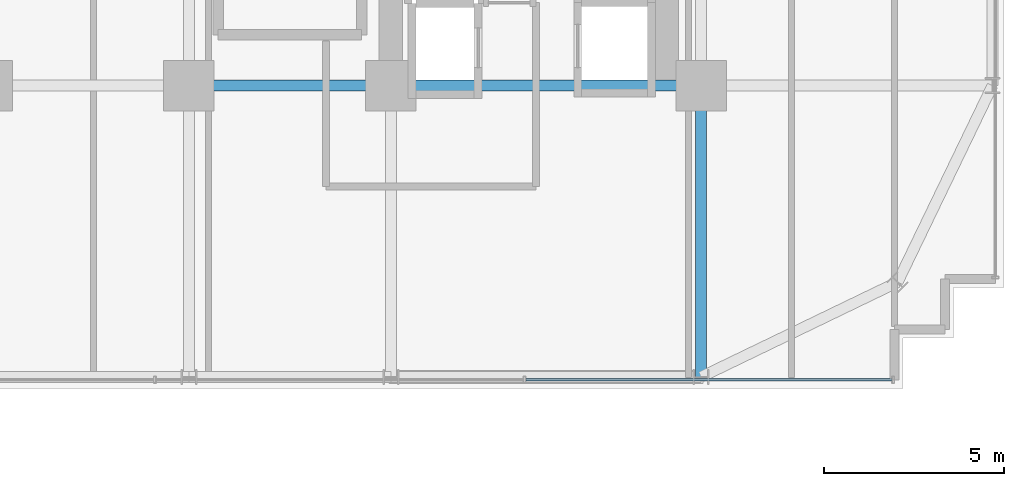
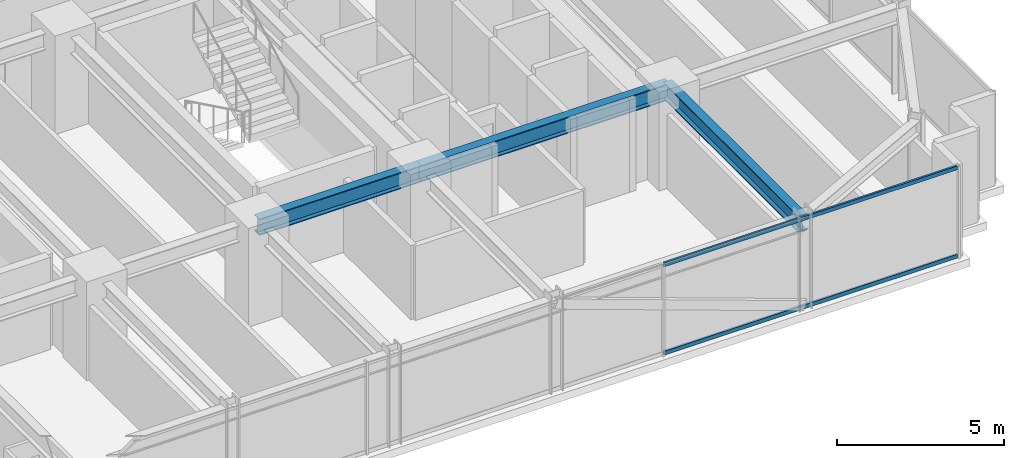
# One storey, part 13 of 37: 3 beams, 2 members, 1 element without a shape of its own.
"""IFC4 building model written with IfcOpenShell, lengths in metres."""

import ifcopenshell
import ifcopenshell.guid

model = None  # the IFC model being written
_history = None  # IfcOwnerHistory: only IFC2X3 demands one
_inside = {}  # id of a spatial element -> (the spatial element, [elements in it])
_under = {}  # id of a project, library or spatial element -> (it, [spatial elements below it])
_declared = {}  # id of a project -> (the project, [libraries it declares])
_typed = {}  # id of a type object -> (the type object, [elements of that type])
_made_of = {}  # id of a material, layer set ... -> (it, [elements and type objects made of it])


def new_model(schema):
    """Start an empty IFC model of exactly this schema.

    Asked for "IFC4X3", IfcOpenShell would pick the latest addendum, in which some entities
    have other attributes; the version numbers below select the first issue.
    IFC2X3 requires an IfcOwnerHistory on every rooted entity: one is made here for all.
    """
    global model, _history
    if schema == "IFC4X3":
        model = ifcopenshell.file(schema_version=(4, 3, 0, 0))
    else:
        model = ifcopenshell.file(schema=schema)
    _inside.clear()
    _under.clear()
    _declared.clear()
    _typed.clear()
    _made_of.clear()
    _history = None
    if model.schema == "IFC2X3":
        org = make("IfcOrganization", Name="unknown")
        user = make(
            "IfcPersonAndOrganization",
            ThePerson=make("IfcPerson", FamilyName="unknown"),
            TheOrganization=org,
        )
        app = make(
            "IfcApplication",
            ApplicationDeveloper=org,
            Version="unknown",
            ApplicationFullName="unknown",
            ApplicationIdentifier="unknown",
        )
        _history = make(
            "IfcOwnerHistory",
            OwningUser=user,
            OwningApplication=app,
            ChangeAction="ADDED",
            CreationDate=0,
        )
    return model


def make(cls, **values):
    """One entity of the class cls with the attributes given. An attribute that is None is left unset."""
    return model.create_entity(
        cls, **{name: value for name, value in values.items() if value is not None}
    )


def rooted(cls, **values):
    """An entity with a GlobalId (a new one), such as an element, a storey or a relation."""
    return make(cls, GlobalId=ifcopenshell.guid.new(), OwnerHistory=_history, **values)


def si_unit(unit_type, name, prefix=None):
    """IfcSIUnit, for example si_unit("LENGTHUNIT", "METRE", prefix="MILLI")."""
    return make("IfcSIUnit", UnitType=unit_type, Prefix=prefix, Name=name)


def assignment(units):
    """IfcUnitAssignment: the units of a project."""
    return None if units is None else make("IfcUnitAssignment", Units=units)


def point(xyz):
    """IfcCartesianPoint."""
    return None if xyz is None else make("IfcCartesianPoint", Coordinates=xyz)


def direction(xyz):
    """IfcDirection."""
    return None if xyz is None else make("IfcDirection", DirectionRatios=xyz)


def frame(location, z_axis=None, x_axis=None):
    """IfcAxis2Placement3D, a coordinate frame: its origin and axes. An axis left out is left unset."""
    return make(
        "IfcAxis2Placement3D",
        Location=point(location),
        Axis=direction(z_axis),
        RefDirection=direction(x_axis),
    )


def frame_2d(location, x_axis=None):
    """IfcAxis2Placement2D, a coordinate frame in the plane: its origin and x axis."""
    return make(
        "IfcAxis2Placement2D", Location=point(location), RefDirection=direction(x_axis)
    )


def origin():
    """The frame at (0, 0, 0) with its axes left unset."""
    return frame((0.0, 0.0, 0.0))


def origin_2d():
    """The frame at (0, 0) in the plane with its x axis left unset."""
    return frame_2d((0.0, 0.0))


def place(relative_to, where):
    """IfcLocalPlacement: puts the frame where relative to a parent placement (None: the world)."""
    return make(
        "IfcLocalPlacement", PlacementRelTo=relative_to, RelativePlacement=where
    )


def context(
    kind, dimensions, precision=None, world=None, true_north=None, identifier=None
):
    """IfcGeometricRepresentationContext, for example the 3D "Model" context."""
    return make(
        "IfcGeometricRepresentationContext",
        ContextIdentifier=identifier,
        ContextType=kind,
        CoordinateSpaceDimension=dimensions,
        Precision=precision,
        WorldCoordinateSystem=world,
        TrueNorth=true_north,
    )


def subcontext(parent, identifier, kind, view, scale=None):
    """IfcGeometricRepresentationSubContext, for example "Body" below "Model"."""
    return make(
        "IfcGeometricRepresentationSubContext",
        ContextIdentifier=identifier,
        ContextType=kind,
        ParentContext=parent,
        TargetScale=scale,
        TargetView=view,
    )


def project(units=None, contexts=None):
    """IfcProject with its units and contexts."""
    return rooted(
        "IfcProject",
        Name="project",
        RepresentationContexts=contexts,
        UnitsInContext=assignment(units),
    )


def spatial(cls, under=None, at=None, **own):
    """A site, building, storey or space (cls), placed at a placement, below another one or the project."""
    s = rooted(cls, ObjectPlacement=at, **own)
    if under is not None:
        _under.setdefault(under.id(), (under, []))[1].append(s)
    return s


def profile(cls, at=None, kind="AREA", **sizes):
    """A parametric profile (cls). Its sizes go by their IFC names, for example OverallWidth=200.0."""
    return make(cls, ProfileType=kind, Position=at, **sizes)


def hollow_rectangle(**sizes):
    """IfcRectangleHollowProfileDef."""
    return profile("IfcRectangleHollowProfileDef", **sizes)


def i_section(**sizes):
    """IfcIShapeProfileDef."""
    return profile("IfcIShapeProfileDef", **sizes)


def extrude(swept, where, along, depth):
    """IfcExtrudedAreaSolid: the profile swept, set in the frame where, extruded along a direction by depth."""
    return make(
        "IfcExtrudedAreaSolid",
        SweptArea=swept,
        Position=where,
        ExtrudedDirection=direction(along),
        Depth=depth,
    )


def shape(context_of_items, identifier, shape_type, items):
    """IfcShapeRepresentation: the items that make up one representation, for example the "Body"."""
    return make(
        "IfcShapeRepresentation",
        ContextOfItems=context_of_items,
        RepresentationIdentifier=identifier,
        RepresentationType=shape_type,
        Items=items,
    )


def source(mapping_origin, context_of_items, identifier, shape_type, items):
    """IfcRepresentationMap: a shape defined once, which mapped items show again and again."""
    return make(
        "IfcRepresentationMap",
        MappingOrigin=mapping_origin,
        MappedRepresentation=shape(context_of_items, identifier, shape_type, items),
    )


def transform(
    local_origin,
    x_axis=None,
    y_axis=None,
    z_axis=None,
    scale=None,
    scale2=None,
    scale3=None,
    uniform=True,
):
    """IfcCartesianTransformationOperator3D, or its non-uniform kind. x_axis, y_axis, z_axis: its Axis1, 2, 3."""
    if uniform:
        return make(
            "IfcCartesianTransformationOperator3D",
            Axis1=direction(x_axis),
            Axis2=direction(y_axis),
            LocalOrigin=point(local_origin),
            Scale=scale,
            Axis3=direction(z_axis),
        )
    return make(
        "IfcCartesianTransformationOperator3DnonUniform",
        Axis1=direction(x_axis),
        Axis2=direction(y_axis),
        LocalOrigin=point(local_origin),
        Scale=scale,
        Axis3=direction(z_axis),
        Scale2=scale2,
        Scale3=scale3,
    )


def mapped(mapping_source, mapping_target):
    """IfcMappedItem: shows the shape of a source again, moved by a transform."""
    return make(
        "IfcMappedItem", MappingSource=mapping_source, MappingTarget=mapping_target
    )


def material(Name=None, Category=None):
    """IfcMaterial."""
    return make("IfcMaterial", Name=Name, Category=Category)


def material_profile(
    of_material, cross_section, Name=None, Category=None, Priority=None
):
    """IfcMaterialProfile: a cross section and its material."""
    return make(
        "IfcMaterialProfile",
        Name=Name,
        Material=of_material,
        Profile=cross_section,
        Priority=Priority,
        Category=Category,
    )


def profile_set(profiles, Name=None, composite=None):
    """IfcMaterialProfileSet."""
    return make(
        "IfcMaterialProfileSet",
        Name=Name,
        MaterialProfiles=profiles,
        CompositeProfile=composite,
    )


def made_of(thing, what):
    """Note that an element or type object is made of a material, layer set ...; save() writes the relation."""
    if what is not None:
        _made_of.setdefault(what.id(), (what, []))[1].append(thing)
    return thing


def type_object(cls, material=None, **own):
    """A type object (cls), such as IfcWallType, which elements share."""
    return made_of(rooted(cls, **own), material)


def element(
    cls,
    number,
    at=None,
    inside=None,
    cuts=None,
    type_object=None,
    material=None,
    context=None,
    identifier="Body",
    shape_type=None,
    held_by="IfcProductDefinitionShape",
    body=None,
    shapes=None,
    **own,
):
    """One element of the class cls, such as IfcWall. Its Tag is "e" and its number.

    at: its placement. inside: the storey or other place that contains it. cuts: it is an
    opening in that element (IfcRelVoidsElement). A single representation is given by context,
    identifier, shape_type and body (its items); several are given by shapes. held_by: the class
    of the entity that holds the representations. save() writes the other relations.
    """
    e = rooted(cls, Tag="e%d" % number, ObjectPlacement=at, **own)
    if body is not None:
        shapes = [shape(context, identifier, shape_type, body)]
    if shapes is not None:
        e.Representation = make(held_by, Representations=shapes)
    if inside is not None:
        _inside.setdefault(inside.id(), (inside, []))[1].append(e)
    if cuts is not None:
        rooted(
            "IfcRelVoidsElement", RelatingBuildingElement=cuts, RelatedOpeningElement=e
        )
    if type_object is not None:
        _typed.setdefault(type_object.id(), (type_object, []))[1].append(e)
    return made_of(e, material)


def aggregate(whole, parts):
    """IfcRelAggregates: a whole, such as a stair, and the parts it consists of."""
    return rooted("IfcRelAggregates", RelatingObject=whole, RelatedObjects=parts)


def save(model, path):
    """Write the relations noted so far, then the file.

    IfcRelAggregates (storeys below a building ...), IfcRelContainedInSpatialStructure (elements
    in a storey), IfcRelDefinesByType, IfcRelAssociatesMaterial and IfcRelDeclares: one each for
    every whole, place, type object, material and project.
    """
    for whole, parts in _under.values():
        aggregate(whole, parts)
    for where, things in _inside.values():
        rooted(
            "IfcRelContainedInSpatialStructure",
            RelatedElements=things,
            RelatingStructure=where,
        )
    for kind, things in _typed.values():
        rooted("IfcRelDefinesByType", RelatedObjects=things, RelatingType=kind)
    for what, things in _made_of.values():
        rooted("IfcRelAssociatesMaterial", RelatedObjects=things, RelatingMaterial=what)
    for by, libraries in _declared.values():
        rooted("IfcRelDeclares", RelatingContext=by, RelatedDefinitions=libraries)
    model.write(path)


model = new_model("IFC4")

# Units and contexts
model_context = context("Model", 3, precision=1e-05, world=origin(), true_north=direction((0.0, 1.0)))
body_context = subcontext(model_context, "Body", "Model", "MODEL_VIEW")
ifc_project = project(units=[si_unit("LENGTHUNIT", "METRE"), si_unit("AREAUNIT", "SQUARE_METRE"), si_unit("VOLUMEUNIT", "CUBIC_METRE"), si_unit("PLANEANGLEUNIT", "RADIAN"), si_unit("MASSUNIT", "GRAM", prefix="KILO")], contexts=[model_context])

# Site, building, storey
site_placement = place(None, origin())
site = spatial("IfcSite", under=ifc_project, at=site_placement, CompositionType="ELEMENT")
building_placement = place(site_placement, origin())
building = spatial("IfcBuilding", under=site, at=building_placement, Name="Nahalor Promenade Grand Hotel", CompositionType="ELEMENT")
storey_placement = place(building_placement, frame((0.0, 0.0, 65.25)))
storey = spatial("IfcBuildingStorey", under=building, at=storey_placement, Name="L15", CompositionType="ELEMENT", Elevation=65.25)

# Beams
ifc_material_1 = material(Name="Steel S355JR", Category="steel")
ifc_material_profile_1 = material_profile(ifc_material_1, i_section(OverallWidth=0.3, OverallDepth=0.6, WebThickness=0.0155, FlangeThickness=0.03, at=origin_2d()), Name="HEB 600")
ifc_profile_set_1 = profile_set([ifc_material_profile_1], Name="Steel S355JR")
beam_type = type_object("IfcBeamType", Name="Beam-Girder-HEB600", PredefinedType="BEAM", material=ifc_profile_set_1)
shared_shape_1 = source(origin(), body_context, "Body", "SweptSolid", [
    extrude(i_section(OverallWidth=0.3, OverallDepth=0.6, WebThickness=0.0155, FlangeThickness=0.03, at=origin_2d()), origin(), (0.0, 0.0, 1.0), 8.60009765625),
])
beam_1_placement = place(storey_placement, frame((8.39990234375, -17.0, 3.070068359375), z_axis=(1.0, 0.0, 0.0), x_axis=(0.0, 1.0, 0.0)))
element("IfcBeam", 1, at=beam_1_placement, inside=storey, type_object=beam_type, Name="BM-L15-GX-0-5", PredefinedType="BEAM", context=body_context, shape_type="MappedRepresentation", body=[
    mapped(shared_shape_1, transform((0.0, 0.0, 0.0), scale=1.0)),
])
shared_shape_2 = source(origin(), body_context, "Body", "SweptSolid", [
    extrude(i_section(OverallWidth=0.3, OverallDepth=0.6, WebThickness=0.0155, FlangeThickness=0.03, at=origin_2d()), origin(), (0.0, 0.0, 1.0), 5.599853515625),
])
beam_2_placement = place(storey_placement, frame((2.800048828125, -17.0, 3.070068359375), z_axis=(1.0, 0.0, 0.0), x_axis=(0.0, 1.0, 0.0)))
element("IfcBeam", 2, at=beam_2_placement, inside=storey, type_object=beam_type, Name="BM-L15-GX-0-4", PredefinedType="BEAM", context=body_context, shape_type="MappedRepresentation", body=[
    mapped(shared_shape_2, transform((0.0, 0.0, 0.0), scale=1.0)),
])
shared_shape_3 = source(origin(), body_context, "Body", "SweptSolid", [
    extrude(i_section(OverallWidth=0.3, OverallDepth=0.6, WebThickness=0.0155, FlangeThickness=0.03, at=origin_2d()), origin(), (0.0, 0.0, 1.0), 8.080078125),
])
beam_3_placement = place(storey_placement, frame((17.0, -25.080078125, 3.070068359375), z_axis=(0.0, 1.0, 0.0), x_axis=(-1.0, 0.0, 0.0)))
element("IfcBeam", 3, at=beam_3_placement, inside=storey, type_object=beam_type, Name="BM-L15-GY-5-0", PredefinedType="BEAM", context=body_context, shape_type="MappedRepresentation", body=[
    mapped(shared_shape_3, transform((0.0, 0.0, 0.0), scale=1.0)),
])

# Curtain wall, members
ifc_material_2 = material(Name="Anodised Bronze Aluminium EN AW-6063 T6", Category="aluminium")
curtain_wall_type = type_object("IfcCurtainWallType", Name="CW3 Elliptical-Void Collar Unitised Curtain Wall", PredefinedType="USERDEFINED", material=ifc_material_2)
curtain_wall_placement = place(storey_placement, origin())
curtain_wall = element("IfcCurtainWall", 4, at=curtain_wall_placement, inside=storey, type_object=curtain_wall_type, Name="L15 Curtain Wall CW-L15-S-3", ObjectType="UNITISED_CURTAIN_WALL", PredefinedType="USERDEFINED")
ifc_material_profile_2 = material_profile(ifc_material_2, hollow_rectangle(XDim=0.07, YDim=0.14, WallThickness=0.004, at=origin_2d()), Name="CWT 70x140x4")
ifc_profile_set_2 = profile_set([ifc_material_profile_2], Name="Anodised Bronze Aluminium EN AW-6063 T6")
member_type = type_object("IfcMemberType", Name="CWT3 Void Collar Transom 70x140", PredefinedType="USERDEFINED", material=ifc_profile_set_2)
shared_shape_4 = source(origin(), body_context, "Body", "SweptSolid", [
    extrude(hollow_rectangle(XDim=0.07, YDim=0.14, WallThickness=0.004, at=origin_2d()), origin(), (0.0, 0.0, 1.0), 10.1484375),
])
member_1_placement = place(storey_placement, frame((12.1416015625, -25.159912109375, 0.070068359375), z_axis=(1.0, 0.0, 0.0), x_axis=(0.0, 1.0, 0.0)))
member_1 = element("IfcMember", 5, at=member_1_placement, type_object=member_type, Name="CW-L15-S-3 Transom 2-0", ObjectType="TRANSOM", PredefinedType="USERDEFINED", context=body_context, shape_type="MappedRepresentation", body=[
    mapped(shared_shape_4, transform((0.0, 0.0, 0.0), scale=1.0)),
])
member_2_placement = place(storey_placement, frame((12.1416015625, -25.159912109375, 3.300048828125), z_axis=(1.0, 0.0, 0.0), x_axis=(0.0, 1.0, 0.0)))
member_2 = element("IfcMember", 6, at=member_2_placement, type_object=member_type, Name="CW-L15-S-3 Transom 2-1", ObjectType="TRANSOM", PredefinedType="USERDEFINED", context=body_context, shape_type="MappedRepresentation", body=[
    mapped(shared_shape_4, transform((0.0, 0.0, 0.0), scale=1.0)),
])
aggregate(curtain_wall, [member_1, member_2])

save(model, "model.ifc")
